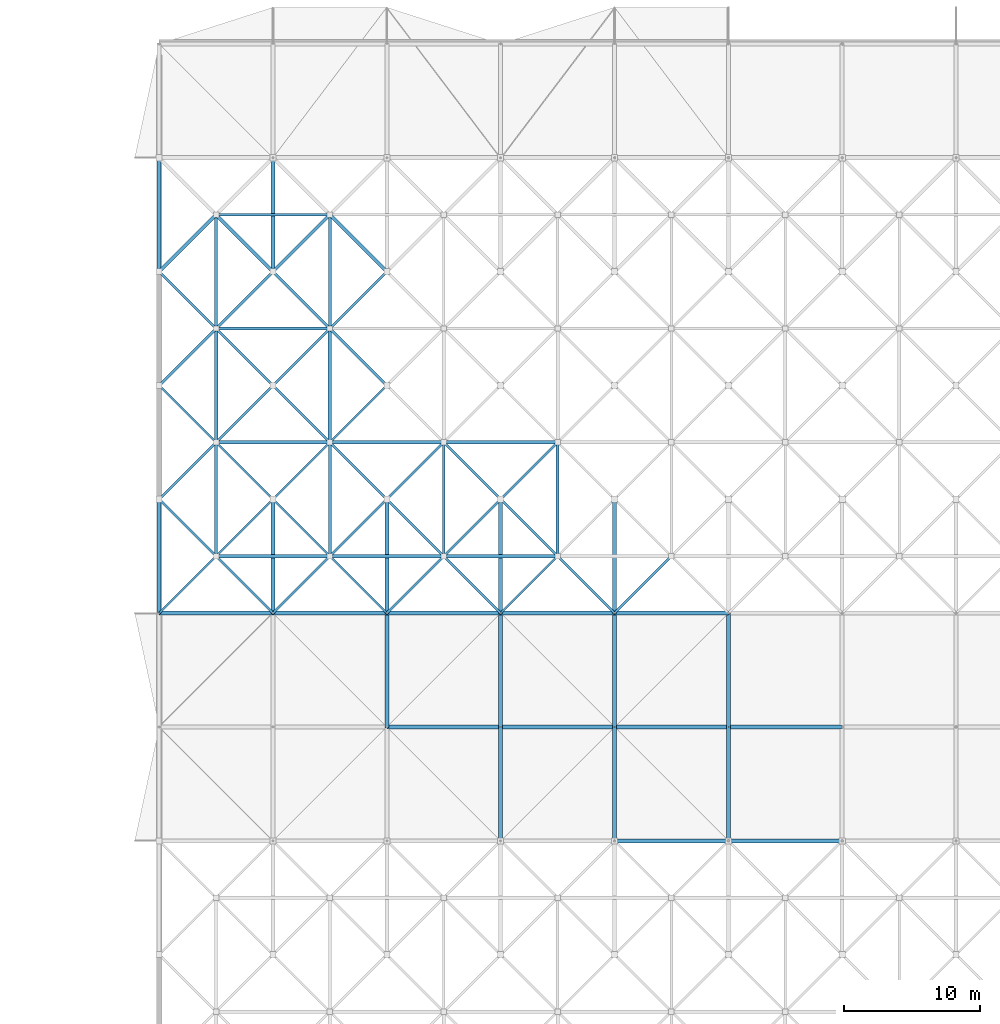
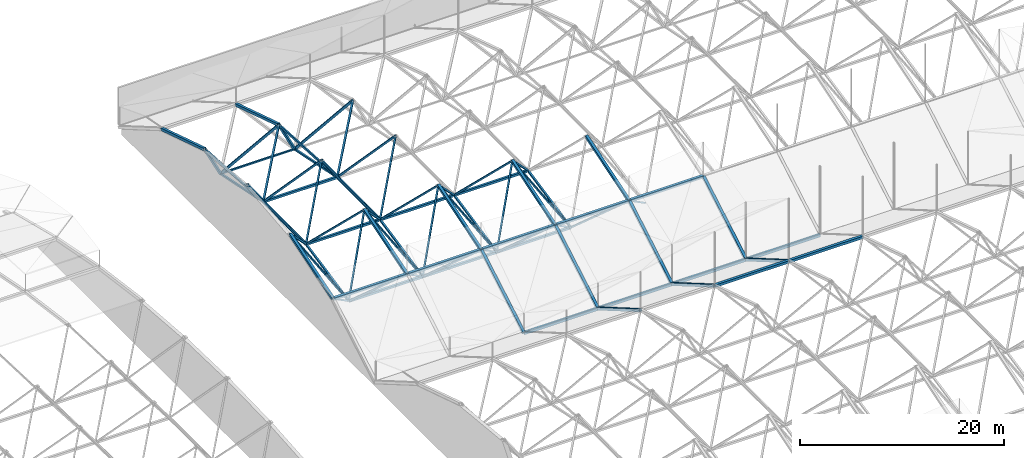
# One storey, part 11 of 111: 80 members.
"""IFC4 building model written with IfcOpenShell, lengths in metres."""

from ifc_helpers import new_model, si_unit, direction, frame, origin, origin_2d, place, context, subcontext, project, spatial, hollow_rectangle, extrude, material, material_profile, profile_set, type_object, element, save


model = new_model("IFC4")

# Units and contexts
model_context = context("Model", 3, precision=1e-05, world=origin(), true_north=direction((0.0, 1.0)))
body_context = subcontext(model_context, "Body", "Model", "MODEL_VIEW")
ifc_project = project(units=[si_unit("LENGTHUNIT", "METRE"), si_unit("AREAUNIT", "SQUARE_METRE"), si_unit("VOLUMEUNIT", "CUBIC_METRE"), si_unit("PLANEANGLEUNIT", "RADIAN"), si_unit("MASSUNIT", "GRAM", prefix="KILO")], contexts=[model_context])

# Site, building, storey
site_placement = place(None, origin())
site = spatial("IfcSite", under=ifc_project, at=site_placement, CompositionType="ELEMENT")
building_placement = place(site_placement, origin())
building = spatial("IfcBuilding", under=site, at=building_placement, Name="Rain Tree Exposition and Congress Centre", CompositionType="ELEMENT")
storey_placement = place(building_placement, frame((0.0, 0.0, 19.5)))
storey = spatial("IfcBuildingStorey", under=building, at=storey_placement, Name="RF", CompositionType="ELEMENT", Elevation=19.5)

# Members
ifc_material_1 = material(Name="Steel S355J2H", Category="steel")
ifc_material_profile_1 = material_profile(ifc_material_1, hollow_rectangle(XDim=0.175048828125, YDim=0.175048828125, WallThickness=0.006103515625, at=origin_2d()), Name="RHS 175x175x6")
ifc_profile_set_1 = profile_set([ifc_material_profile_1], Name="Steel S355J2H")
member_type_1 = type_object("IfcMemberType", Name="Steel brace member RHS 175x175x6", PredefinedType="BRACE", material=ifc_profile_set_1)
for number, where, z_axis, x_axis, name in (
    (1, (147.0, 163.800048828125, 0.965087890625), (-0.573737145755, -0.573737145755, 0.584509516742), (0.707106781187, -0.707106781187, 0.0), "Diagonal 810"),
    (2, (147.0, 163.800048828125, 0.965087890625), (0.573737145755, -0.573737145755, 0.584509516742), (0.707106781187, 0.707106781187, 0.0), "Diagonal 811"),
):
    element("IfcMember", number, at=place(storey_placement, frame(where, z_axis=z_axis, x_axis=x_axis)), inside=storey, type_object=member_type_1, Name=name, PredefinedType="BRACE", context=body_context, shape_type="SweptSolid", body=[
        extrude(hollow_rectangle(XDim=0.175048828125, YDim=0.175048828125, WallThickness=0.006103515625, at=origin_2d()), origin(), (0.0, 0.0, 1.0), 7.3203125),
    ])
for number, where, z_axis, x_axis, name in (
    (3, (147.0, 163.800048828125, 0.965087890625), (-0.459940759453, 0.459940759453, 0.759545255787), (-0.707106781187, -0.707106781187, 0.0), "Diagonal 812"),
    (4, (147.0, 163.800048828125, 0.965087890625), (0.459940759453, 0.459940759453, 0.759545255787), (-0.707106781187, 0.707106781187, 0.0), "Diagonal 813"),
):
    element("IfcMember", number, at=place(storey_placement, frame(where, z_axis=z_axis, x_axis=x_axis)), inside=storey, type_object=member_type_1, Name=name, PredefinedType="BRACE", context=body_context, shape_type="SweptSolid", body=[
        extrude(hollow_rectangle(XDim=0.175048828125, YDim=0.175048828125, WallThickness=0.006103515625, at=origin_2d()), origin(), (0.0, 0.0, 1.0), 9.131591796875),
    ])
member_1_placement = place(storey_placement, frame((155.39990234375, 163.800048828125, 0.965087890625), z_axis=(-0.573737145755, -0.573737145755, 0.584509516742), x_axis=(0.707106781187, -0.707106781187, 0.0)))
element("IfcMember", 5, at=member_1_placement, inside=storey, type_object=member_type_1, Name="Diagonal 816", PredefinedType="BRACE", context=body_context, shape_type="SweptSolid", body=[
    extrude(hollow_rectangle(XDim=0.175048828125, YDim=0.175048828125, WallThickness=0.006103515625, at=origin_2d()), origin(), (0.0, 0.0, 1.0), 7.3203125),
])
member_2_placement = place(storey_placement, frame((155.39990234375, 163.800048828125, 0.965087890625), z_axis=(0.573759517816, -0.573726167461, 0.584498332321), x_axis=(0.70708622964, 0.707127332136, 0.0)))
element("IfcMember", 6, at=member_2_placement, inside=storey, type_object=member_type_1, Name="Diagonal 817", PredefinedType="BRACE", context=body_context, shape_type="SweptSolid", body=[
    extrude(hollow_rectangle(XDim=0.175048828125, YDim=0.175048828125, WallThickness=0.006103515625, at=origin_2d()), origin(), (0.0, 0.0, 1.0), 7.320556640625),
])
for number, where, z_axis, x_axis, name in (
    (7, (155.39990234375, 163.800048828125, 0.965087890625), (-0.459940759453, 0.459940759453, 0.759545255787), (-0.707106781187, -0.707106781187, 0.0), "Diagonal 818"),
    (8, (155.39990234375, 163.800048828125, 0.965087890625), (0.459961839245, 0.459935103496, 0.75953591555), (-0.70708622964, 0.707127332136, 0.0), "Diagonal 819"),
):
    element("IfcMember", number, at=place(storey_placement, frame(where, z_axis=z_axis, x_axis=x_axis)), inside=storey, type_object=member_type_1, Name=name, PredefinedType="BRACE", context=body_context, shape_type="SweptSolid", body=[
        extrude(hollow_rectangle(XDim=0.175048828125, YDim=0.175048828125, WallThickness=0.006103515625, at=origin_2d()), origin(), (0.0, 0.0, 1.0), 9.131591796875),
    ])
for number, where, z_axis, x_axis, name in (
    (9, (163.800048828125, 163.800048828125, 0.965087890625), (-0.573737145755, -0.573737145755, 0.584509516742), (0.707106781187, -0.707106781187, 0.0), "Diagonal 822"),
    (10, (163.800048828125, 163.800048828125, 0.965087890625), (0.573737145755, -0.573737145755, 0.584509516742), (0.707106781187, 0.707106781187, 0.0), "Diagonal 823"),
):
    element("IfcMember", number, at=place(storey_placement, frame(where, z_axis=z_axis, x_axis=x_axis)), inside=storey, type_object=member_type_1, Name=name, PredefinedType="BRACE", context=body_context, shape_type="SweptSolid", body=[
        extrude(hollow_rectangle(XDim=0.175048828125, YDim=0.175048828125, WallThickness=0.006103515625, at=origin_2d()), origin(), (0.0, 0.0, 1.0), 7.3203125),
    ])
for number, where, z_axis, x_axis, name in (
    (11, (163.800048828125, 163.800048828125, 0.965087890625), (-0.459940759453, 0.459940759453, 0.759545255787), (-0.707106781187, -0.707106781187, 0.0), "Diagonal 824"),
    (12, (163.800048828125, 163.800048828125, 0.965087890625), (0.459940759453, 0.459940759453, 0.759545255787), (-0.707106781187, 0.707106781187, 0.0), "Diagonal 825"),
):
    element("IfcMember", number, at=place(storey_placement, frame(where, z_axis=z_axis, x_axis=x_axis)), inside=storey, type_object=member_type_1, Name=name, PredefinedType="BRACE", context=body_context, shape_type="SweptSolid", body=[
        extrude(hollow_rectangle(XDim=0.175048828125, YDim=0.175048828125, WallThickness=0.006103515625, at=origin_2d()), origin(), (0.0, 0.0, 1.0), 9.131591796875),
    ])
for number, where, z_axis, x_axis, name in (
    (13, (172.199951171875, 163.800048828125, 0.965087890625), (-0.573737145755, -0.573737145755, 0.584509516742), (0.707106781187, -0.707106781187, 0.0), "Diagonal 828"),
    (14, (172.199951171875, 163.800048828125, 0.965087890625), (0.573737145755, -0.573737145755, 0.584509516742), (0.707106781187, 0.707106781187, 0.0), "Diagonal 829"),
):
    element("IfcMember", number, at=place(storey_placement, frame(where, z_axis=z_axis, x_axis=x_axis)), inside=storey, type_object=member_type_1, Name=name, PredefinedType="BRACE", context=body_context, shape_type="SweptSolid", body=[
        extrude(hollow_rectangle(XDim=0.175048828125, YDim=0.175048828125, WallThickness=0.006103515625, at=origin_2d()), origin(), (0.0, 0.0, 1.0), 7.3203125),
    ])
member_3_placement = place(storey_placement, frame((172.199951171875, 163.800048828125, 0.965087890625), z_axis=(-0.459940759453, 0.459940759453, 0.759545255787), x_axis=(-0.707106781187, -0.707106781187, 0.0)))
element("IfcMember", 15, at=member_3_placement, inside=storey, type_object=member_type_1, Name="Diagonal 830", PredefinedType="BRACE", context=body_context, shape_type="SweptSolid", body=[
    extrude(hollow_rectangle(XDim=0.175048828125, YDim=0.175048828125, WallThickness=0.006103515625, at=origin_2d()), origin(), (0.0, 0.0, 1.0), 9.131591796875),
])
member_4_placement = place(storey_placement, frame((180.60009765625, 163.800048828125, 0.965087890625), z_axis=(-0.573759517816, -0.573726167461, 0.584498332321), x_axis=(0.70708622964, -0.707127332136, 0.0)))
element("IfcMember", 16, at=member_4_placement, inside=storey, type_object=member_type_1, Name="Diagonal 834", PredefinedType="BRACE", context=body_context, shape_type="SweptSolid", body=[
    extrude(hollow_rectangle(XDim=0.175048828125, YDim=0.175048828125, WallThickness=0.006103515625, at=origin_2d()), origin(), (0.0, 0.0, 1.0), 7.320556640625),
])
for number, where, z_axis, x_axis, name in (
    (17, (147.0, 172.199951171875, 2.68896484375), (-0.531497919506, -0.531497919506, 0.65956040142), (0.707106781187, -0.707106781187, 0.0), "Diagonal 881"),
    (18, (147.0, 172.199951171875, 2.68896484375), (0.531497919506, -0.531497919506, 0.65956040142), (0.707106781187, 0.707106781187, 0.0), "Diagonal 882"),
):
    element("IfcMember", number, at=place(storey_placement, frame(where, z_axis=z_axis, x_axis=x_axis)), inside=storey, type_object=member_type_1, Name=name, PredefinedType="BRACE", context=body_context, shape_type="SweptSolid", body=[
        extrude(hollow_rectangle(XDim=0.175048828125, YDim=0.175048828125, WallThickness=0.006103515625, at=origin_2d()), origin(), (0.0, 0.0, 1.0), 7.902099609375),
    ])
for number, where, z_axis, x_axis, name in (
    (19, (147.0, 172.199951171875, 2.68896484375), (-0.494916318018, 0.494916318018, 0.714223827885), (-0.707106781187, -0.707106781187, 0.0), "Diagonal 883"),
    (20, (147.0, 172.199951171875, 2.68896484375), (0.494916318018, 0.494916318018, 0.714223827885), (-0.707106781187, 0.707106781187, 0.0), "Diagonal 884"),
):
    element("IfcMember", number, at=place(storey_placement, frame(where, z_axis=z_axis, x_axis=x_axis)), inside=storey, type_object=member_type_1, Name=name, PredefinedType="BRACE", context=body_context, shape_type="SweptSolid", body=[
        extrude(hollow_rectangle(XDim=0.175048828125, YDim=0.175048828125, WallThickness=0.006103515625, at=origin_2d()), origin(), (0.0, 0.0, 1.0), 8.486083984375),
    ])
member_5_placement = place(storey_placement, frame((155.39990234375, 172.199951171875, 2.68896484375), z_axis=(-0.531497919506, -0.531497919506, 0.65956040142), x_axis=(0.707106781187, -0.707106781187, 0.0)))
element("IfcMember", 21, at=member_5_placement, inside=storey, type_object=member_type_1, Name="Diagonal 887", PredefinedType="BRACE", context=body_context, shape_type="SweptSolid", body=[
    extrude(hollow_rectangle(XDim=0.175048828125, YDim=0.175048828125, WallThickness=0.006103515625, at=origin_2d()), origin(), (0.0, 0.0, 1.0), 7.902099609375),
])
member_6_placement = place(storey_placement, frame((155.39990234375, 172.199951171875, 2.68896484375), z_axis=(0.531520086899, -0.531489191753, 0.659549570747), x_axis=(0.70708622964, 0.707127332136, 0.0)))
element("IfcMember", 22, at=member_6_placement, inside=storey, type_object=member_type_1, Name="Diagonal 888", PredefinedType="BRACE", context=body_context, shape_type="SweptSolid", body=[
    extrude(hollow_rectangle(XDim=0.175048828125, YDim=0.175048828125, WallThickness=0.006103515625, at=origin_2d()), origin(), (0.0, 0.0, 1.0), 7.90234375),
])
member_7_placement = place(storey_placement, frame((155.39990234375, 172.199951171875, 2.68896484375), z_axis=(-0.494916318018, 0.494916318018, 0.714223827885), x_axis=(-0.707106781187, -0.707106781187, 0.0)))
element("IfcMember", 23, at=member_7_placement, inside=storey, type_object=member_type_1, Name="Diagonal 889", PredefinedType="BRACE", context=body_context, shape_type="SweptSolid", body=[
    extrude(hollow_rectangle(XDim=0.175048828125, YDim=0.175048828125, WallThickness=0.006103515625, at=origin_2d()), origin(), (0.0, 0.0, 1.0), 8.486083984375),
])
member_8_placement = place(storey_placement, frame((155.39990234375, 172.199951171875, 2.68896484375), z_axis=(0.494938039954, 0.494909271177, 0.714213658445), x_axis=(-0.70708622964, 0.707127332136, 0.0)))
element("IfcMember", 24, at=member_8_placement, inside=storey, type_object=member_type_1, Name="Diagonal 890", PredefinedType="BRACE", context=body_context, shape_type="SweptSolid", body=[
    extrude(hollow_rectangle(XDim=0.175048828125, YDim=0.175048828125, WallThickness=0.006103515625, at=origin_2d()), origin(), (0.0, 0.0, 1.0), 8.486328125),
])
for number, where, z_axis, x_axis, name in (
    (25, (163.800048828125, 172.199951171875, 2.68896484375), (-0.531497919506, -0.531497919506, 0.65956040142), (0.707106781187, -0.707106781187, 0.0), "Diagonal 893"),
    (26, (163.800048828125, 172.199951171875, 2.68896484375), (0.531497919506, -0.531497919506, 0.65956040142), (0.707106781187, 0.707106781187, 0.0), "Diagonal 894"),
    (27, (172.199951171875, 172.199951171875, 2.68896484375), (-0.531497919506, -0.531497919506, 0.65956040142), (0.707106781187, -0.707106781187, 0.0), "Diagonal 899"),
):
    element("IfcMember", number, at=place(storey_placement, frame(where, z_axis=z_axis, x_axis=x_axis)), inside=storey, type_object=member_type_1, Name=name, PredefinedType="BRACE", context=body_context, shape_type="SweptSolid", body=[
        extrude(hollow_rectangle(XDim=0.175048828125, YDim=0.175048828125, WallThickness=0.006103515625, at=origin_2d()), origin(), (0.0, 0.0, 1.0), 7.902099609375),
    ])
ifc_material_2 = material(Name="Steel S355J2H", Category="steel")
ifc_material_profile_2 = material_profile(ifc_material_2, hollow_rectangle(XDim=0.199951171875, YDim=0.199951171875, WallThickness=0.009033203125, at=origin_2d()), Name="RHS 200x200x9")
ifc_profile_set_2 = profile_set([ifc_material_profile_2], Name="Steel S355J2H")
member_type_2 = type_object("IfcMemberType", Name="Steel brace member RHS 200x200x9", PredefinedType="BRACE", material=ifc_profile_set_2)
for number, where, z_axis, x_axis, name in (
    (28, (147.0, 180.60009765625, 2.68896484375), (-0.494909271177, -0.494938039954, 0.714213658445), (0.707127332136, -0.70708622964, 0.0), "Diagonal 952"),
    (29, (147.0, 180.60009765625, 2.68896484375), (0.494909271177, -0.494938039954, 0.714213658445), (0.707127332136, 0.70708622964, 0.0), "Diagonal 953"),
):
    element("IfcMember", number, at=place(storey_placement, frame(where, z_axis=z_axis, x_axis=x_axis)), inside=storey, type_object=member_type_2, Name=name, PredefinedType="BRACE", context=body_context, shape_type="SweptSolid", body=[
        extrude(hollow_rectangle(XDim=0.199951171875, YDim=0.199951171875, WallThickness=0.009033203125, at=origin_2d()), origin(), (0.0, 0.0, 1.0), 8.486328125),
    ])
for number, where, z_axis, x_axis, name in (
    (30, (147.0, 180.60009765625, 2.68896484375), (-0.531497919506, 0.531497919506, 0.65956040142), (-0.707106781187, -0.707106781187, 0.0), "Diagonal 954"),
    (31, (147.0, 180.60009765625, 2.68896484375), (0.531497919506, 0.531497919506, 0.65956040142), (-0.707106781187, 0.707106781187, 0.0), "Diagonal 955"),
):
    element("IfcMember", number, at=place(storey_placement, frame(where, z_axis=z_axis, x_axis=x_axis)), inside=storey, type_object=member_type_2, Name=name, PredefinedType="BRACE", context=body_context, shape_type="SweptSolid", body=[
        extrude(hollow_rectangle(XDim=0.199951171875, YDim=0.199951171875, WallThickness=0.009033203125, at=origin_2d()), origin(), (0.0, 0.0, 1.0), 7.902099609375),
    ])
for number, where, z_axis, x_axis, name in (
    (32, (155.39990234375, 180.60009765625, 2.68896484375), (-0.494909271177, -0.494938039954, 0.714213658445), (0.707127332136, -0.70708622964, 0.0), "Diagonal 958"),
    (33, (155.39990234375, 180.60009765625, 2.68896484375), (0.494930993004, -0.494930993004, 0.71420348944), (0.707106781187, 0.707106781187, 0.0), "Diagonal 959"),
):
    element("IfcMember", number, at=place(storey_placement, frame(where, z_axis=z_axis, x_axis=x_axis)), inside=storey, type_object=member_type_2, Name=name, PredefinedType="BRACE", context=body_context, shape_type="SweptSolid", body=[
        extrude(hollow_rectangle(XDim=0.199951171875, YDim=0.199951171875, WallThickness=0.009033203125, at=origin_2d()), origin(), (0.0, 0.0, 1.0), 8.486328125),
    ])
member_9_placement = place(storey_placement, frame((155.39990234375, 180.60009765625, 2.68896484375), z_axis=(-0.531497919506, 0.531497919506, 0.65956040142), x_axis=(-0.707106781187, -0.707106781187, 0.0)))
element("IfcMember", 34, at=member_9_placement, inside=storey, type_object=member_type_2, Name="Diagonal 960", PredefinedType="BRACE", context=body_context, shape_type="SweptSolid", body=[
    extrude(hollow_rectangle(XDim=0.199951171875, YDim=0.199951171875, WallThickness=0.009033203125, at=origin_2d()), origin(), (0.0, 0.0, 1.0), 7.902099609375),
])
member_10_placement = place(storey_placement, frame((155.39990234375, 180.60009765625, 2.68896484375), z_axis=(0.531520086899, 0.531489191753, 0.659549570747), x_axis=(-0.70708622964, 0.707127332136, 0.0)))
element("IfcMember", 35, at=member_10_placement, inside=storey, type_object=member_type_2, Name="Diagonal 961", PredefinedType="BRACE", context=body_context, shape_type="SweptSolid", body=[
    extrude(hollow_rectangle(XDim=0.199951171875, YDim=0.199951171875, WallThickness=0.009033203125, at=origin_2d()), origin(), (0.0, 0.0, 1.0), 7.90234375),
])
ifc_material_3 = material(Name="Steel S355J2H", Category="steel")
ifc_material_profile_3 = material_profile(ifc_material_3, hollow_rectangle(XDim=0.25, YDim=0.25, WallThickness=0.006103515625, at=origin_2d()), Name="RHS 250x250x6")
ifc_profile_set_3 = profile_set([ifc_material_profile_3], Name="Steel S355J2H")
member_type_3 = type_object("IfcMemberType", Name="Steel brace member RHS 250x250x6", PredefinedType="BRACE", material=ifc_profile_set_3)
for number, where, z_axis, x_axis, name in (
    (36, (147.0, 189.0, 0.965087890625), (-0.459940759453, -0.459940759453, 0.759545255787), (0.707106781187, -0.707106781187, 0.0), "Diagonal 1023"),
    (37, (147.0, 189.0, 0.965087890625), (0.459940759453, -0.459940759453, 0.759545255787), (0.707106781187, 0.707106781187, 0.0), "Diagonal 1024"),
    (38, (155.39990234375, 189.0, 0.965087890625), (-0.459940759453, -0.459940759453, 0.759545255787), (0.707106781187, -0.707106781187, 0.0), "Diagonal 1029"),
    (39, (155.39990234375, 189.0, 0.965087890625), (0.459961839245, -0.459935103496, 0.75953591555), (0.70708622964, 0.707127332136, 0.0), "Diagonal 1030"),
):
    element("IfcMember", number, at=place(storey_placement, frame(where, z_axis=z_axis, x_axis=x_axis)), inside=storey, type_object=member_type_3, Name=name, PredefinedType="BRACE", context=body_context, shape_type="SweptSolid", body=[
        extrude(hollow_rectangle(XDim=0.25, YDim=0.25, WallThickness=0.006103515625, at=origin_2d()), origin(), (0.0, 0.0, 1.0), 9.131591796875),
    ])
ifc_material_4 = material(Name="Steel S355J2H", Category="steel")
ifc_material_profile_4 = material_profile(ifc_material_4, hollow_rectangle(XDim=0.175048828125, YDim=0.175048828125, WallThickness=0.006103515625, at=origin_2d()), Name="RHS 175x175x6")
ifc_profile_set_4 = profile_set([ifc_material_profile_4], Name="Steel S355J2H")
member_type_4 = type_object("IfcMemberType", Name="Steel chord member RHS 175x175x6", PredefinedType="CHORD", material=ifc_profile_set_4)
member_11_placement = place(storey_placement, frame((147.0, 189.0, 0.965087890625), z_axis=(1.0, 0.0, 0.0), x_axis=(0.0, 1.0, 0.0)))
element("IfcMember", 40, at=member_11_placement, inside=storey, type_object=member_type_4, Name="Bottom chord 1027", PredefinedType="CHORD", context=body_context, shape_type="SweptSolid", body=[
    extrude(hollow_rectangle(XDim=0.175048828125, YDim=0.175048828125, WallThickness=0.006103515625, at=origin_2d()), origin(), (0.0, 0.0, 1.0), 8.39990234375),
])
ifc_material_5 = material(Name="Steel S355J2H", Category="steel")
ifc_material_profile_5 = material_profile(ifc_material_5, hollow_rectangle(XDim=0.199951171875, YDim=0.199951171875, WallThickness=0.009033203125, at=origin_2d()), Name="RHS 200x200x9")
ifc_profile_set_5 = profile_set([ifc_material_profile_5], Name="Steel S355J2H")
member_type_5 = type_object("IfcMemberType", Name="Steel chord member RHS 200x200x9", PredefinedType="CHORD", material=ifc_profile_set_5)
for number, where, z_axis, x_axis, name in (
    (41, (147.0, 163.800048828125, 0.965087890625), (0.0, 0.979583871149, 0.20103591566), (-1.0, 0.0, 0.0), "Bottom chord 815"),
    (42, (155.39990234375, 163.800048828125, 0.965087890625), (0.0, 0.979583871149, 0.20103591566), (-1.0, 0.0, 0.0), "Bottom chord 821"),
    (43, (163.800048828125, 163.800048828125, 0.965087890625), (0.0, 0.979583871149, 0.20103591566), (-1.0, 0.0, 0.0), "Bottom chord 827"),
    (44, (172.199951171875, 163.800048828125, 0.965087890625), (0.0, 0.979583871149, 0.20103591566), (-1.0, 0.0, 0.0), "Bottom chord 833"),
    (45, (147.0, 180.60009765625, 2.68896484375), (0.0, 0.979583871149, -0.20103591566), (-1.0, 0.0, 0.0), "Bottom chord 957"),
    (46, (155.39990234375, 180.60009765625, 2.68896484375), (0.0, 0.979583871149, -0.20103591566), (-1.0, 0.0, 0.0), "Bottom chord 963"),
):
    element("IfcMember", number, at=place(storey_placement, frame(where, z_axis=z_axis, x_axis=x_axis)), inside=storey, type_object=member_type_5, Name=name, PredefinedType="CHORD", context=body_context, shape_type="SweptSolid", body=[
        extrude(hollow_rectangle(XDim=0.199951171875, YDim=0.199951171875, WallThickness=0.009033203125, at=origin_2d()), origin(), (0.0, 0.0, 1.0), 8.574951171875),
    ])
ifc_material_6 = material(Name="Steel S355J2H", Category="steel")
ifc_material_profile_6 = material_profile(ifc_material_6, hollow_rectangle(XDim=0.25, YDim=0.25, WallThickness=0.006103515625, at=origin_2d()), Name="RHS 250x250x6")
ifc_profile_set_6 = profile_set([ifc_material_profile_6], Name="Steel S355J2H")
member_type_6 = type_object("IfcMemberType", Name="Steel chord member RHS 250x250x6", PredefinedType="CHORD", material=ifc_profile_set_6)
member_12_placement = place(storey_placement, frame((147.0, 163.800048828125, 0.965087890625), z_axis=(1.0, 0.0, 0.0), x_axis=(0.0, 1.0, 0.0)))
element("IfcMember", 47, at=member_12_placement, inside=storey, type_object=member_type_6, Name="Bottom chord 814", PredefinedType="CHORD", context=body_context, shape_type="SweptSolid", body=[
    extrude(hollow_rectangle(XDim=0.25, YDim=0.25, WallThickness=0.006103515625, at=origin_2d()), origin(), (0.0, 0.0, 1.0), 8.39990234375),
])
member_13_placement = place(storey_placement, frame((155.39990234375, 163.800048828125, 0.965087890625), z_axis=(1.0, 0.0, 0.0), x_axis=(0.0, 1.0, 0.0)))
element("IfcMember", 48, at=member_13_placement, inside=storey, type_object=member_type_6, Name="Bottom chord 820", PredefinedType="CHORD", context=body_context, shape_type="SweptSolid", body=[
    extrude(hollow_rectangle(XDim=0.25, YDim=0.25, WallThickness=0.006103515625, at=origin_2d()), origin(), (0.0, 0.0, 1.0), 8.400146484375),
])
for number, where, z_axis, x_axis, name in (
    (49, (163.800048828125, 163.800048828125, 0.965087890625), (1.0, 0.0, 0.0), (0.0, 1.0, 0.0), "Bottom chord 826"),
    (50, (147.0, 172.199951171875, 2.68896484375), (1.0, 0.0, 0.0), (0.0, 1.0, 0.0), "Bottom chord 885"),
):
    element("IfcMember", number, at=place(storey_placement, frame(where, z_axis=z_axis, x_axis=x_axis)), inside=storey, type_object=member_type_6, Name=name, PredefinedType="CHORD", context=body_context, shape_type="SweptSolid", body=[
        extrude(hollow_rectangle(XDim=0.25, YDim=0.25, WallThickness=0.006103515625, at=origin_2d()), origin(), (0.0, 0.0, 1.0), 8.39990234375),
    ])
for number, where, z_axis, x_axis, name in (
    (51, (147.0, 172.199951171875, 2.68896484375), (0.0, 1.0, 0.0), (-1.0, 0.0, 0.0), "Bottom chord 886"),
    (52, (155.39990234375, 172.199951171875, 2.68896484375), (1.0, 0.0, 0.0), (0.0, 1.0, 0.0), "Bottom chord 891"),
    (53, (155.39990234375, 172.199951171875, 2.68896484375), (0.0, 1.0, 0.0), (-1.0, 0.0, 0.0), "Bottom chord 892"),
):
    element("IfcMember", number, at=place(storey_placement, frame(where, z_axis=z_axis, x_axis=x_axis)), inside=storey, type_object=member_type_6, Name=name, PredefinedType="CHORD", context=body_context, shape_type="SweptSolid", body=[
        extrude(hollow_rectangle(XDim=0.25, YDim=0.25, WallThickness=0.006103515625, at=origin_2d()), origin(), (0.0, 0.0, 1.0), 8.400146484375),
    ])
for number, where, z_axis, x_axis, name in (
    (54, (163.800048828125, 172.199951171875, 2.68896484375), (1.0, 0.0, 0.0), (0.0, 1.0, 0.0), "Bottom chord 897"),
    (55, (147.0, 180.60009765625, 2.68896484375), (1.0, 0.0, 0.0), (0.0, 1.0, 0.0), "Bottom chord 956"),
):
    element("IfcMember", number, at=place(storey_placement, frame(where, z_axis=z_axis, x_axis=x_axis)), inside=storey, type_object=member_type_6, Name=name, PredefinedType="CHORD", context=body_context, shape_type="SweptSolid", body=[
        extrude(hollow_rectangle(XDim=0.25, YDim=0.25, WallThickness=0.006103515625, at=origin_2d()), origin(), (0.0, 0.0, 1.0), 8.39990234375),
    ])
ifc_material_7 = material(Name="Steel S355J2H", Category="steel")
ifc_material_profile_7 = material_profile(ifc_material_7, hollow_rectangle(XDim=0.300048828125, YDim=0.300048828125, WallThickness=0.009033203125, at=origin_2d()), Name="RHS 300x300x9")
ifc_profile_set_7 = profile_set([ifc_material_profile_7], Name="Steel S355J2H")
member_type_7 = type_object("IfcMemberType", Name="Steel chord member RHS 300x300x9", PredefinedType="CHORD", material=ifc_profile_set_7)
member_14_placement = place(storey_placement, frame((176.39990234375, 142.800048828125, 5.243896484375), z_axis=(1.0, 0.0, 0.0), x_axis=(0.0, 1.0, 0.0)))
element("IfcMember", 56, at=member_14_placement, inside=storey, type_object=member_type_7, Name="Top chord 65", PredefinedType="CHORD", context=body_context, shape_type="SweptSolid", body=[
    extrude(hollow_rectangle(XDim=0.300048828125, YDim=0.300048828125, WallThickness=0.009033203125, at=origin_2d()), origin(), (0.0, 0.0, 1.0), 8.400146484375),
])
for number, where, z_axis, x_axis, name in (
    (57, (184.800048828125, 142.800048828125, 5.243896484375), (1.0, 0.0, 0.0), (0.0, 1.0, 0.0), "Top chord 66"),
    (58, (159.60009765625, 151.199951171875, 0.35009765625), (1.0, 0.0, 0.0), (0.0, 1.0, 0.0), "Top chord 75"),
    (59, (168.0, 151.199951171875, 0.35009765625), (1.0, 0.0, 0.0), (0.0, 1.0, 0.0), "Top chord 76"),
):
    element("IfcMember", number, at=place(storey_placement, frame(where, z_axis=z_axis, x_axis=x_axis)), inside=storey, type_object=member_type_7, Name=name, PredefinedType="CHORD", context=body_context, shape_type="SweptSolid", body=[
        extrude(hollow_rectangle(XDim=0.300048828125, YDim=0.300048828125, WallThickness=0.009033203125, at=origin_2d()), origin(), (0.0, 0.0, 1.0), 8.39990234375),
    ])
member_15_placement = place(storey_placement, frame((176.39990234375, 151.199951171875, 0.35009765625), z_axis=(1.0, 0.0, 0.0), x_axis=(0.0, 1.0, 0.0)))
element("IfcMember", 60, at=member_15_placement, inside=storey, type_object=member_type_7, Name="Top chord 77", PredefinedType="CHORD", context=body_context, shape_type="SweptSolid", body=[
    extrude(hollow_rectangle(XDim=0.300048828125, YDim=0.300048828125, WallThickness=0.009033203125, at=origin_2d()), origin(), (0.0, 0.0, 1.0), 8.400146484375),
])
for number, where, z_axis, x_axis, name in (
    (61, (184.800048828125, 151.199951171875, 0.35009765625), (1.0, 0.0, 0.0), (0.0, 1.0, 0.0), "Top chord 78"),
    (62, (142.800048828125, 159.60009765625, 5.243896484375), (1.0, 0.0, 0.0), (0.0, 1.0, 0.0), "Top chord 85"),
):
    element("IfcMember", number, at=place(storey_placement, frame(where, z_axis=z_axis, x_axis=x_axis)), inside=storey, type_object=member_type_7, Name=name, PredefinedType="CHORD", context=body_context, shape_type="SweptSolid", body=[
        extrude(hollow_rectangle(XDim=0.300048828125, YDim=0.300048828125, WallThickness=0.009033203125, at=origin_2d()), origin(), (0.0, 0.0, 1.0), 8.39990234375),
    ])
member_16_placement = place(storey_placement, frame((151.199951171875, 159.60009765625, 5.243896484375), z_axis=(1.0, 0.0, 0.0), x_axis=(0.0, 1.0, 0.0)))
element("IfcMember", 63, at=member_16_placement, inside=storey, type_object=member_type_7, Name="Top chord 86", PredefinedType="CHORD", context=body_context, shape_type="SweptSolid", body=[
    extrude(hollow_rectangle(XDim=0.300048828125, YDim=0.300048828125, WallThickness=0.009033203125, at=origin_2d()), origin(), (0.0, 0.0, 1.0), 8.400146484375),
])
for number, where, z_axis, x_axis, name in (
    (64, (159.60009765625, 159.60009765625, 5.243896484375), (1.0, 0.0, 0.0), (0.0, 1.0, 0.0), "Top chord 87"),
    (65, (168.0, 159.60009765625, 5.243896484375), (1.0, 0.0, 0.0), (0.0, 1.0, 0.0), "Top chord 88"),
):
    element("IfcMember", number, at=place(storey_placement, frame(where, z_axis=z_axis, x_axis=x_axis)), inside=storey, type_object=member_type_7, Name=name, PredefinedType="CHORD", context=body_context, shape_type="SweptSolid", body=[
        extrude(hollow_rectangle(XDim=0.300048828125, YDim=0.300048828125, WallThickness=0.009033203125, at=origin_2d()), origin(), (0.0, 0.0, 1.0), 8.39990234375),
    ])
member_17_placement = place(storey_placement, frame((176.39990234375, 159.60009765625, 5.243896484375), z_axis=(1.0, 0.0, 0.0), x_axis=(0.0, 1.0, 0.0)))
element("IfcMember", 66, at=member_17_placement, inside=storey, type_object=member_type_7, Name="Top chord 89", PredefinedType="CHORD", context=body_context, shape_type="SweptSolid", body=[
    extrude(hollow_rectangle(XDim=0.300048828125, YDim=0.300048828125, WallThickness=0.009033203125, at=origin_2d()), origin(), (0.0, 0.0, 1.0), 8.400146484375),
])
for number, where, z_axis, x_axis, name in (
    (67, (142.800048828125, 159.60009765625, 5.243896484375), (0.0, 0.953439742772, 0.301583581951), (-1.0, 0.0, 0.0), "Top chord 164"),
    (68, (142.800048828125, 184.800048828125, 7.90087890625), (0.0, 0.953439742772, -0.301583581951), (-1.0, 0.0, 0.0), "Top chord 167"),
    (69, (151.199951171875, 159.60009765625, 5.243896484375), (0.0, 0.953439742772, 0.301583581951), (-1.0, 0.0, 0.0), "Top chord 176"),
    (70, (151.199951171875, 184.800048828125, 7.90087890625), (0.0, 0.953439742772, -0.301583581951), (-1.0, 0.0, 0.0), "Top chord 179"),
):
    element("IfcMember", number, at=place(storey_placement, frame(where, z_axis=z_axis, x_axis=x_axis)), inside=storey, type_object=member_type_7, Name=name, PredefinedType="CHORD", context=body_context, shape_type="SweptSolid", body=[
        extrude(hollow_rectangle(XDim=0.300048828125, YDim=0.300048828125, WallThickness=0.009033203125, at=origin_2d()), origin(), (0.0, 0.0, 1.0), 8.81005859375),
    ])
member_18_placement = place(storey_placement, frame((159.60009765625, 151.199951171875, 0.35009765625), z_axis=(0.0, 0.864060213011, 0.503388466585), x_axis=(-1.0, 0.0, 0.0)))
element("IfcMember", 71, at=member_18_placement, inside=storey, type_object=member_type_7, Name="Top chord 187", PredefinedType="CHORD", context=body_context, shape_type="SweptSolid", body=[
    extrude(hollow_rectangle(XDim=0.300048828125, YDim=0.300048828125, WallThickness=0.009033203125, at=origin_2d()), origin(), (0.0, 0.0, 1.0), 9.7216796875),
])
member_19_placement = place(storey_placement, frame((159.60009765625, 159.60009765625, 5.243896484375), z_axis=(0.0, 0.953439742772, 0.301583581951), x_axis=(-1.0, 0.0, 0.0)))
element("IfcMember", 72, at=member_19_placement, inside=storey, type_object=member_type_7, Name="Top chord 188", PredefinedType="CHORD", context=body_context, shape_type="SweptSolid", body=[
    extrude(hollow_rectangle(XDim=0.300048828125, YDim=0.300048828125, WallThickness=0.009033203125, at=origin_2d()), origin(), (0.0, 0.0, 1.0), 8.81005859375),
])
member_20_placement = place(storey_placement, frame((168.0, 142.800048828125, 5.243896484375), z_axis=(0.0, 0.864053849191, -0.503399389846), x_axis=(-1.0, 0.0, 0.0)))
element("IfcMember", 73, at=member_20_placement, inside=storey, type_object=member_type_7, Name="Top chord 198", PredefinedType="CHORD", context=body_context, shape_type="SweptSolid", body=[
    extrude(hollow_rectangle(XDim=0.300048828125, YDim=0.300048828125, WallThickness=0.009033203125, at=origin_2d()), origin(), (0.0, 0.0, 1.0), 9.721435546875),
])
member_21_placement = place(storey_placement, frame((168.0, 151.199951171875, 0.35009765625), z_axis=(0.0, 0.864060213011, 0.503388466585), x_axis=(-1.0, 0.0, 0.0)))
element("IfcMember", 74, at=member_21_placement, inside=storey, type_object=member_type_7, Name="Top chord 199", PredefinedType="CHORD", context=body_context, shape_type="SweptSolid", body=[
    extrude(hollow_rectangle(XDim=0.300048828125, YDim=0.300048828125, WallThickness=0.009033203125, at=origin_2d()), origin(), (0.0, 0.0, 1.0), 9.7216796875),
])
member_22_placement = place(storey_placement, frame((168.0, 159.60009765625, 5.243896484375), z_axis=(0.0, 0.953439742772, 0.301583581951), x_axis=(-1.0, 0.0, 0.0)))
element("IfcMember", 75, at=member_22_placement, inside=storey, type_object=member_type_7, Name="Top chord 200", PredefinedType="CHORD", context=body_context, shape_type="SweptSolid", body=[
    extrude(hollow_rectangle(XDim=0.300048828125, YDim=0.300048828125, WallThickness=0.009033203125, at=origin_2d()), origin(), (0.0, 0.0, 1.0), 8.81005859375),
])
member_23_placement = place(storey_placement, frame((176.39990234375, 142.800048828125, 5.243896484375), z_axis=(0.0, 0.864053849191, -0.503399389846), x_axis=(-1.0, 0.0, 0.0)))
element("IfcMember", 76, at=member_23_placement, inside=storey, type_object=member_type_7, Name="Top chord 210", PredefinedType="CHORD", context=body_context, shape_type="SweptSolid", body=[
    extrude(hollow_rectangle(XDim=0.300048828125, YDim=0.300048828125, WallThickness=0.009033203125, at=origin_2d()), origin(), (0.0, 0.0, 1.0), 9.721435546875),
])
member_24_placement = place(storey_placement, frame((176.39990234375, 151.199951171875, 0.35009765625), z_axis=(0.0, 0.864060213011, 0.503388466585), x_axis=(-1.0, 0.0, 0.0)))
element("IfcMember", 77, at=member_24_placement, inside=storey, type_object=member_type_7, Name="Top chord 211", PredefinedType="CHORD", context=body_context, shape_type="SweptSolid", body=[
    extrude(hollow_rectangle(XDim=0.300048828125, YDim=0.300048828125, WallThickness=0.009033203125, at=origin_2d()), origin(), (0.0, 0.0, 1.0), 9.7216796875),
])
member_25_placement = place(storey_placement, frame((176.39990234375, 159.60009765625, 5.243896484375), z_axis=(0.0, 0.953439742772, 0.301583581951), x_axis=(-1.0, 0.0, 0.0)))
element("IfcMember", 78, at=member_25_placement, inside=storey, type_object=member_type_7, Name="Top chord 212", PredefinedType="CHORD", context=body_context, shape_type="SweptSolid", body=[
    extrude(hollow_rectangle(XDim=0.300048828125, YDim=0.300048828125, WallThickness=0.009033203125, at=origin_2d()), origin(), (0.0, 0.0, 1.0), 8.81005859375),
])
member_26_placement = place(storey_placement, frame((184.800048828125, 142.800048828125, 5.243896484375), z_axis=(0.0, 0.864053849191, -0.503399389846), x_axis=(-1.0, 0.0, 0.0)))
element("IfcMember", 79, at=member_26_placement, inside=storey, type_object=member_type_7, Name="Top chord 222", PredefinedType="CHORD", context=body_context, shape_type="SweptSolid", body=[
    extrude(hollow_rectangle(XDim=0.300048828125, YDim=0.300048828125, WallThickness=0.009033203125, at=origin_2d()), origin(), (0.0, 0.0, 1.0), 9.721435546875),
])
member_27_placement = place(storey_placement, frame((184.800048828125, 151.199951171875, 0.35009765625), z_axis=(0.0, 0.864060213011, 0.503388466585), x_axis=(-1.0, 0.0, 0.0)))
element("IfcMember", 80, at=member_27_placement, inside=storey, type_object=member_type_7, Name="Top chord 223", PredefinedType="CHORD", context=body_context, shape_type="SweptSolid", body=[
    extrude(hollow_rectangle(XDim=0.300048828125, YDim=0.300048828125, WallThickness=0.009033203125, at=origin_2d()), origin(), (0.0, 0.0, 1.0), 9.7216796875),
])

save(model, "model.ifc")
